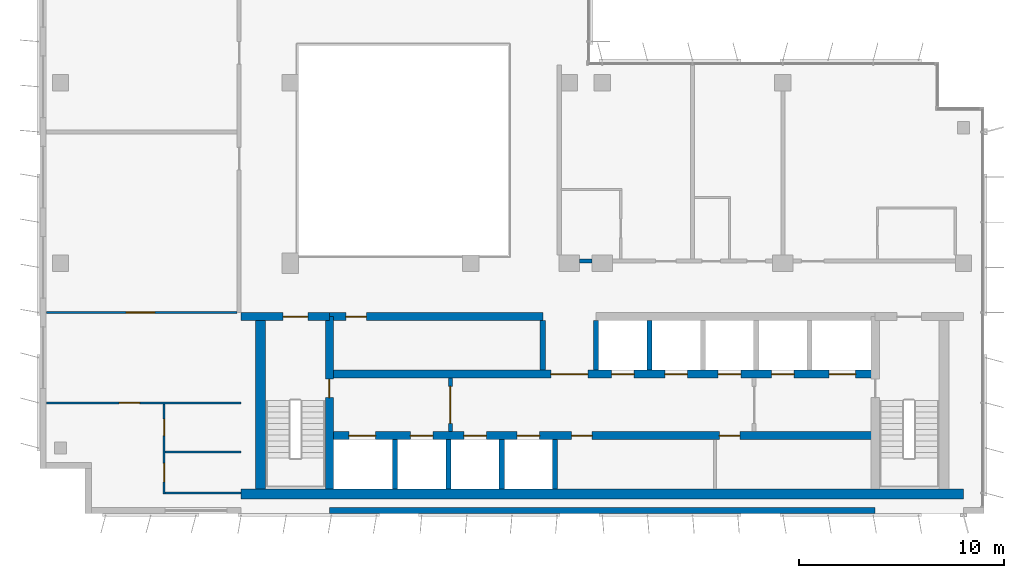
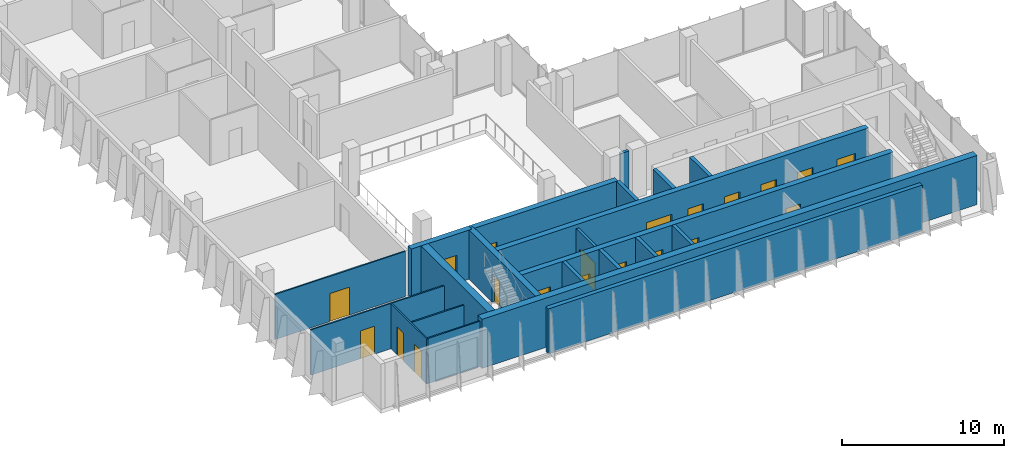
# One storey, part 9 of 15: 22 walls, 20 doors, 20 openings.
"""IFC4 building model written with IfcOpenShell, lengths in metres."""

from ifc_helpers import new_model, si_unit, direction, frame, frame_2d, origin, place, context, subcontext, project, spatial, rectangle, extrude, material, layer, layer_set, type_object, element, fill, save


model = new_model("IFC4")

# Units and contexts
model_context = context("Model", 3, precision=1e-05, world=origin(), true_north=direction((0.0, 1.0)))
body_context = subcontext(model_context, "Body", "Model", "MODEL_VIEW")
ifc_project = project(units=[si_unit("LENGTHUNIT", "METRE"), si_unit("AREAUNIT", "SQUARE_METRE"), si_unit("VOLUMEUNIT", "CUBIC_METRE"), si_unit("PLANEANGLEUNIT", "RADIAN"), si_unit("MASSUNIT", "GRAM", prefix="KILO")], contexts=[model_context])

# Site, building, storey
site_placement = place(None, origin())
site = spatial("IfcSite", under=ifc_project, at=site_placement, CompositionType="ELEMENT")
building_placement = place(site_placement, origin())
building = spatial("IfcBuilding", under=site, at=building_placement, Name="Kemantara Hotel Tower", CompositionType="ELEMENT")
storey_placement = place(building_placement, frame((0.0, 0.0, 264.800048828125)))
storey = spatial("IfcBuildingStorey", under=building, at=storey_placement, Name="L66", CompositionType="ELEMENT", Elevation=264.800048828125)

# Walls
ifc_material_1 = material(Name="Bronze anodised aluminium cladding on insulated steel stud wall", Category="steel")
ifc_layer_1 = layer(ifc_material_1, 0.300048828125)
ifc_layer_set_1 = layer_set([ifc_layer_1], Name="Bronze anodised aluminium cladding on insulated steel stud wall")
wall_type_1 = type_object("IfcWallType", Name="BRONZE METAL-CLAD EXTERNAL WALL 300", PredefinedType="STANDARD", material=ifc_layer_set_1)
wall_1_placement = place(storey_placement, frame((14.10009765625, 0.14990234375, 0.0), z_axis=(0.0, 0.0, 1.0), x_axis=(1.0, 0.0, 0.0)))
element("IfcWall", 1, at=wall_1_placement, inside=storey, type_object=wall_type_1, Name="EXTERNAL WALL L66 T4-R08-2", PredefinedType="STANDARD", context=body_context, shape_type="SweptSolid", body=[
    extrude(rectangle(XDim=26.599853515625, YDim=0.300048828125, at=frame_2d((13.2998046875, 0.0))), origin(), (0.0, 0.0, 1.0), 3.39990234375),
])
ifc_material_2 = material(Name="Concrete fc 50 MPa", Category="concrete")
ifc_layer_2 = layer(ifc_material_2, 0.25)
ifc_layer_set_2 = layer_set([ifc_layer_2], Name="Concrete fc 50 MPa")
wall_type_2 = type_object("IfcWallType", Name="CORE WALL 250 FC50", PredefinedType="SHEAR", material=ifc_layer_set_2)
for number, where, z_axis, x_axis, name in (
    (2, (17.300048828125, 1.199951171875, 0.0), (0.0, 0.0, 1.0), (0.0, 1.0, 0.0), "CORE WALL CW-DS17.3"),
    (3, (19.89990234375, 1.199951171875, 0.0), (0.0, 0.0, 1.0), (0.0, 1.0, 0.0), "CORE WALL CW-DS19.9"),
    (4, (22.5, 1.199951171875, 0.0), (0.0, 0.0, 1.0), (0.0, 1.0, 0.0), "CORE WALL CW-DS22.5"),
    (5, (25.10009765625, 1.199951171875, 0.0), (0.0, 0.0, 1.0), (0.0, 1.0, 0.0), "CORE WALL CW-DS25.1"),
):
    element("IfcWall", number, at=place(storey_placement, frame(where, z_axis=z_axis, x_axis=x_axis)), inside=storey, type_object=wall_type_2, Name=name, PredefinedType="SHEAR", context=body_context, shape_type="SweptSolid", body=[
        extrude(rectangle(XDim=2.400146484375, YDim=0.25, at=frame_2d((1.2001953125, 0.0))), origin(), (0.0, 0.0, 1.0), 3.699951171875),
    ])
for number, where, z_axis, x_axis, name in (
    (6, (24.5, 7.0, 0.0), (0.0, 0.0, 1.0), (0.0, 1.0, 0.0), "CORE WALL CW-DN24.5"),
    (7, (27.10009765625, 7.0, 0.0), (0.0, 0.0, 1.0), (0.0, 1.0, 0.0), "CORE WALL CW-DN27.1"),
    (8, (29.699951171875, 7.0, 0.0), (0.0, 0.0, 1.0), (0.0, 1.0, 0.0), "CORE WALL CW-DN29.7"),
):
    element("IfcWall", number, at=place(storey_placement, frame(where, z_axis=z_axis, x_axis=x_axis)), inside=storey, type_object=wall_type_2, Name=name, PredefinedType="SHEAR", context=body_context, shape_type="SweptSolid", body=[
        extrude(rectangle(XDim=2.39990234375, YDim=0.25, at=frame_2d((1.199951171875, 0.0))), origin(), (0.0, 0.0, 1.0), 3.699951171875),
    ])

# Wall, opening, door
ifc_layer_3 = layer(ifc_material_2, 0.39990234375)
ifc_layer_set_3 = layer_set([ifc_layer_3], Name="Concrete fc 50 MPa")
wall_type_3 = type_object("IfcWallType", Name="CORE WALL 400 FC50", PredefinedType="SHEAR", material=ifc_layer_set_3)
wall_2_placement = place(storey_placement, frame((9.800048828125, 9.60009765625, 0.0), z_axis=(0.0, 0.0, 1.0), x_axis=(1.0, 0.0, 0.0)))
wall_2 = element("IfcWall", 9, at=wall_2_placement, inside=storey, type_object=wall_type_3, Name="CORE WALL CW-N1", PredefinedType="SHEAR", context=body_context, shape_type="SweptSolid", body=[
    extrude(rectangle(XDim=4.300048828125, YDim=0.39990234375, at=frame_2d((2.14990234375, 0.0))), origin(), (0.0, 0.0, 1.0), 3.699951171875),
])
opening_1_placement = place(wall_2_placement, frame((2.050048828125, 0.0, 0.0)))
opening_1 = element("IfcOpeningElement", 10, at=opening_1_placement, cuts=wall_2, Name="Opening C39-ST1-C", PredefinedType="OPENING", context=body_context, shape_type="SweptSolid", body=[
    extrude(rectangle(XDim=1.199951171875, YDim=2.10009765625, at=frame_2d((0.60009765625, 1.050048828125))), frame((0.0, 0.2099609375, 0.0), z_axis=(0.0, -1.0, 0.0), x_axis=(1.0, 0.0, 0.0)), (0.0, 0.0, 1.0), 0.419921875),
])
ifc_material_3 = material(Name="Steel fire door", Category="steel")
door_type_1 = type_object("IfcDoorType", Name="Fire door FD90 1200 x 2100", OperationType="NOTDEFINED", PredefinedType="DOOR", material=ifc_material_3)
door_1_placement = place(opening_1_placement, frame((1.199951171875, 0.0, 0.0), z_axis=(0.0, 0.0, 1.0), x_axis=(-1.0, 0.0, 0.0)))
door_1 = element("IfcDoor", 11, at=door_1_placement, inside=storey, type_object=door_type_1, Name="Stair ST1 door to corridor", OperationType="SINGLE_SWING_LEFT", OverallHeight=2.10009765625, OverallWidth=1.199951171875, PredefinedType="DOOR", context=body_context, shape_type="SweptSolid", body=[
    extrude(rectangle(XDim=1.199951171875, YDim=2.10009765625, at=frame_2d((0.60009765625, 1.050048828125))), frame((0.0, 0.02490234375, 0.0), z_axis=(0.0, -1.0, 0.0), x_axis=(1.0, 0.0, 0.0)), (0.0, 0.0, 1.0), 0.050048828125),
])
fill(opening_1, door_1)

wall_3_placement = place(storey_placement, frame((14.10009765625, 9.60009765625, 0.0), z_axis=(0.0, 0.0, 1.0), x_axis=(1.0, 0.0, 0.0)))
wall_3 = element("IfcWall", 12, at=wall_3_placement, inside=storey, type_object=wall_type_3, Name="CORE WALL CW-NN1", PredefinedType="SHEAR", context=body_context, shape_type="SweptSolid", body=[
    extrude(rectangle(XDim=10.39990234375, YDim=0.39990234375, at=frame_2d((5.199951171875, 0.0))), origin(), (0.0, 0.0, 1.0), 3.699951171875),
])
opening_2_placement = place(wall_3_placement, frame((0.800048828125, 0.0, 0.0)))
opening_2 = element("IfcOpeningElement", 13, at=opening_2_placement, cuts=wall_3, Name="Opening C39-R-NW1", PredefinedType="OPENING", context=body_context, shape_type="SweptSolid", body=[
    extrude(rectangle(XDim=1.0, YDim=2.10009765625, at=frame_2d((0.5, 1.050048828125))), frame((0.0, 0.2099609375, 0.0), z_axis=(0.0, -1.0, 0.0), x_axis=(1.0, 0.0, 0.0)), (0.0, 0.0, 1.0), 0.419921875),
])
door_type_2 = type_object("IfcDoorType", Name="Fire door FD30S 1000 x 2100", OperationType="NOTDEFINED", PredefinedType="DOOR", material=ifc_material_3)
door_2_placement = place(opening_2_placement, frame((1.0, 0.0, 0.0), z_axis=(0.0, 0.0, 1.0), x_axis=(-1.0, 0.0, 0.0)))
door_2 = element("IfcDoor", 14, at=door_2_placement, inside=storey, type_object=door_type_2, Name="Housekeeping Store door", OperationType="SINGLE_SWING_RIGHT", OverallHeight=2.10009765625, OverallWidth=1.0, PredefinedType="DOOR", context=body_context, shape_type="SweptSolid", body=[
    extrude(rectangle(XDim=1.0, YDim=2.10009765625, at=frame_2d((0.5, 1.050048828125))), frame((0.0, 0.02490234375, 0.0), z_axis=(0.0, -1.0, 0.0), x_axis=(1.0, 0.0, 0.0)), (0.0, 0.0, 1.0), 0.050048828125),
])
fill(opening_2, door_2)

# Wall, openings, doors
wall_4_placement = place(storey_placement, frame((14.10009765625, 3.800048828125, 0.0), z_axis=(0.0, 0.0, 1.0), x_axis=(1.0, 0.0, 0.0)))
wall_4 = element("IfcWall", 15, at=wall_4_placement, inside=storey, type_object=wall_type_3, Name="CORE WALL CW-L1", PredefinedType="SHEAR", context=body_context, shape_type="SweptSolid", body=[
    extrude(rectangle(XDim=26.599853515625, YDim=0.39990234375, at=frame_2d((13.2998046875, 0.0))), origin(), (0.0, 0.0, 1.0), 3.699951171875),
])
opening_3_placement = place(wall_4_placement, frame((0.949951171875, 0.0, 0.0)))
opening_3 = element("IfcOpeningElement", 16, at=opening_3_placement, cuts=wall_4, Name="Opening C39-LD-FF1", PredefinedType="OPENING", context=body_context, shape_type="SweptSolid", body=[
    extrude(rectangle(XDim=1.300048828125, YDim=2.10009765625, at=frame_2d((0.64990234375, 1.050048828125))), frame((0.0, 0.2099609375, 0.0), z_axis=(0.0, -1.0, 0.0), x_axis=(1.0, 0.0, 0.0)), (0.0, 0.0, 1.0), 0.419921875),
])
opening_4_placement = place(wall_4_placement, frame((3.949951171875, 0.0, 0.0)))
opening_4 = element("IfcOpeningElement", 17, at=opening_4_placement, cuts=wall_4, Name="Opening C39-LD-SV1", PredefinedType="OPENING", context=body_context, shape_type="SweptSolid", body=[
    extrude(rectangle(XDim=1.10009765625, YDim=2.10009765625, at=frame_2d((0.550048828125, 1.050048828125))), frame((0.0, 0.2099609375, 0.0), z_axis=(0.0, -1.0, 0.0), x_axis=(1.0, 0.0, 0.0)), (0.0, 0.0, 1.0), 0.419921875),
])
opening_5_placement = place(wall_4_placement, frame((6.550048828125, 0.0, 0.0)))
opening_5 = element("IfcOpeningElement", 18, at=opening_5_placement, cuts=wall_4, Name="Opening C39-LD-SV2", PredefinedType="OPENING", context=body_context, shape_type="SweptSolid", body=[
    extrude(rectangle(XDim=1.10009765625, YDim=2.10009765625, at=frame_2d((0.550048828125, 1.050048828125))), frame((0.0, 0.2099609375, 0.0), z_axis=(0.0, -1.0, 0.0), x_axis=(1.0, 0.0, 0.0)), (0.0, 0.0, 1.0), 0.419921875),
])
opening_6_placement = place(wall_4_placement, frame((9.14990234375, 0.0, 0.0)))
opening_6 = element("IfcOpeningElement", 19, at=opening_6_placement, cuts=wall_4, Name="Opening C39-LD-SV3", PredefinedType="OPENING", context=body_context, shape_type="SweptSolid", body=[
    extrude(rectangle(XDim=1.10009765625, YDim=2.10009765625, at=frame_2d((0.550048828125, 1.050048828125))), frame((0.0, 0.2099609375, 0.0), z_axis=(0.0, -1.0, 0.0), x_axis=(1.0, 0.0, 0.0)), (0.0, 0.0, 1.0), 0.419921875),
])
opening_7_placement = place(wall_4_placement, frame((11.800048828125, 0.0, 0.0)))
opening_7 = element("IfcOpeningElement", 20, at=opening_7_placement, cuts=wall_4, Name="Opening C39-R-SM1", PredefinedType="OPENING", context=body_context, shape_type="SweptSolid", body=[
    extrude(rectangle(XDim=1.0, YDim=2.10009765625, at=frame_2d((0.5, 1.050048828125))), frame((0.0, 0.2099609375, 0.0), z_axis=(0.0, -1.0, 0.0), x_axis=(1.0, 0.0, 0.0)), (0.0, 0.0, 1.0), 0.419921875),
])
opening_8_placement = place(wall_4_placement, frame((19.0, 0.0, 0.0)))
opening_8 = element("IfcOpeningElement", 21, at=opening_8_placement, cuts=wall_4, Name="Opening C39-R-SM2", PredefinedType="OPENING", context=body_context, shape_type="SweptSolid", body=[
    extrude(rectangle(XDim=1.0, YDim=2.10009765625, at=frame_2d((0.5, 1.050048828125))), frame((0.0, 0.2099609375, 0.0), z_axis=(0.0, -1.0, 0.0), x_axis=(1.0, 0.0, 0.0)), (0.0, 0.0, 1.0), 0.419921875),
])
door_3_placement = place(opening_7_placement, frame((1.0, 0.0, 0.0), z_axis=(0.0, 0.0, 1.0), x_axis=(-1.0, 0.0, 0.0)))
door_3 = element("IfcDoor", 22, at=door_3_placement, inside=storey, type_object=door_type_2, Name="Staff Lounge door", OperationType="SINGLE_SWING_RIGHT", OverallHeight=2.10009765625, OverallWidth=1.0, PredefinedType="DOOR", context=body_context, shape_type="SweptSolid", body=[
    extrude(rectangle(XDim=1.0, YDim=2.10009765625, at=frame_2d((0.5, 1.050048828125))), frame((0.0, 0.02490234375, 0.0), z_axis=(0.0, -1.0, 0.0), x_axis=(1.0, 0.0, 0.0)), (0.0, 0.0, 1.0), 0.050048828125),
])
fill(opening_7, door_3)
door_4_placement = place(opening_8_placement, frame((1.0, 0.0, 0.0), z_axis=(0.0, 0.0, 1.0), x_axis=(-1.0, 0.0, 0.0)))
door_4 = element("IfcDoor", 23, at=door_4_placement, inside=storey, type_object=door_type_2, Name="Luggage Store door", OperationType="SINGLE_SWING_LEFT", OverallHeight=2.10009765625, OverallWidth=1.0, PredefinedType="DOOR", context=body_context, shape_type="SweptSolid", body=[
    extrude(rectangle(XDim=1.0, YDim=2.10009765625, at=frame_2d((0.5, 1.050048828125))), frame((0.0, 0.02490234375, 0.0), z_axis=(0.0, -1.0, 0.0), x_axis=(1.0, 0.0, 0.0)), (0.0, 0.0, 1.0), 0.050048828125),
])
fill(opening_8, door_4)
ifc_material_4 = material(Name="Stainless steel lift door", Category="steel")
door_type_3 = type_object("IfcDoorType", Name="Lift landing door 1100 x 2100 FD60", OperationType="DOUBLE_DOOR_SLIDING", PredefinedType="DOOR", material=ifc_material_4)
door_5_placement = place(opening_4_placement, origin())
door_5 = element("IfcDoor", 24, at=door_5_placement, inside=storey, type_object=door_type_3, Name="Lift SV1 landing door", OperationType="DOUBLE_DOOR_SLIDING", OverallHeight=2.10009765625, OverallWidth=1.10009765625, PredefinedType="DOOR", context=body_context, shape_type="SweptSolid", body=[
    extrude(rectangle(XDim=1.10009765625, YDim=2.10009765625, at=frame_2d((0.550048828125, 1.050048828125))), frame((0.0, 0.02490234375, 0.0), z_axis=(0.0, -1.0, 0.0), x_axis=(1.0, 0.0, 0.0)), (0.0, 0.0, 1.0), 0.050048828125),
])
fill(opening_4, door_5)
door_6_placement = place(opening_5_placement, origin())
door_6 = element("IfcDoor", 25, at=door_6_placement, inside=storey, type_object=door_type_3, Name="Lift SV2 landing door", OperationType="DOUBLE_DOOR_SLIDING", OverallHeight=2.10009765625, OverallWidth=1.10009765625, PredefinedType="DOOR", context=body_context, shape_type="SweptSolid", body=[
    extrude(rectangle(XDim=1.10009765625, YDim=2.10009765625, at=frame_2d((0.550048828125, 1.050048828125))), frame((0.0, 0.02490234375, 0.0), z_axis=(0.0, -1.0, 0.0), x_axis=(1.0, 0.0, 0.0)), (0.0, 0.0, 1.0), 0.050048828125),
])
fill(opening_5, door_6)
door_7_placement = place(opening_6_placement, origin())
door_7 = element("IfcDoor", 26, at=door_7_placement, inside=storey, type_object=door_type_3, Name="Lift SV3 landing door", OperationType="DOUBLE_DOOR_SLIDING", OverallHeight=2.10009765625, OverallWidth=1.10009765625, PredefinedType="DOOR", context=body_context, shape_type="SweptSolid", body=[
    extrude(rectangle(XDim=1.10009765625, YDim=2.10009765625, at=frame_2d((0.550048828125, 1.050048828125))), frame((0.0, 0.02490234375, 0.0), z_axis=(0.0, -1.0, 0.0), x_axis=(1.0, 0.0, 0.0)), (0.0, 0.0, 1.0), 0.050048828125),
])
fill(opening_6, door_7)
door_type_4 = type_object("IfcDoorType", Name="Lift landing door 1300 x 2100 FD90", OperationType="DOUBLE_DOOR_SLIDING", PredefinedType="DOOR", material=ifc_material_4)
door_8_placement = place(opening_3_placement, origin())
door_8 = element("IfcDoor", 27, at=door_8_placement, inside=storey, type_object=door_type_4, Name="Lift FF1 landing door", OperationType="DOUBLE_DOOR_SLIDING", OverallHeight=2.10009765625, OverallWidth=1.300048828125, PredefinedType="DOOR", context=body_context, shape_type="SweptSolid", body=[
    extrude(rectangle(XDim=1.300048828125, YDim=2.10009765625, at=frame_2d((0.64990234375, 1.050048828125))), frame((0.0, 0.02490234375, 0.0), z_axis=(0.0, -1.0, 0.0), x_axis=(1.0, 0.0, 0.0)), (0.0, 0.0, 1.0), 0.050048828125),
])
fill(opening_3, door_8)

wall_5_placement = place(storey_placement, frame((14.10009765625, 6.800048828125, 0.0), z_axis=(0.0, 0.0, 1.0), x_axis=(1.0, 0.0, 0.0)))
wall_5 = element("IfcWall", 28, at=wall_5_placement, inside=storey, type_object=wall_type_3, Name="CORE WALL CW-L2", PredefinedType="SHEAR", context=body_context, shape_type="SweptSolid", body=[
    extrude(rectangle(XDim=26.599853515625, YDim=0.39990234375, at=frame_2d((13.2998046875, 0.0))), origin(), (0.0, 0.0, 1.0), 3.699951171875),
])
opening_9_placement = place(wall_5_placement, frame((10.800048828125, 0.0, 0.0)))
opening_9 = element("IfcOpeningElement", 29, at=opening_9_placement, cuts=wall_5, Name="Opening C39-VL", PredefinedType="OPENING", context=body_context, shape_type="SweptSolid", body=[
    extrude(rectangle(XDim=1.800048828125, YDim=2.10009765625, at=frame_2d((0.89990234375, 1.050048828125))), frame((0.0, 0.2099609375, 0.0), z_axis=(0.0, -1.0, 0.0), x_axis=(1.0, 0.0, 0.0)), (0.0, 0.0, 1.0), 0.419921875),
])
opening_10_placement = place(wall_5_placement, frame((13.75, 0.0, 0.0)))
opening_10 = element("IfcOpeningElement", 30, at=opening_10_placement, cuts=wall_5, Name="Opening C39-LD-HR1", PredefinedType="OPENING", context=body_context, shape_type="SweptSolid", body=[
    extrude(rectangle(XDim=1.10009765625, YDim=2.10009765625, at=frame_2d((0.550048828125, 1.050048828125))), frame((0.0, 0.2099609375, 0.0), z_axis=(0.0, -1.0, 0.0), x_axis=(1.0, 0.0, 0.0)), (0.0, 0.0, 1.0), 0.419921875),
])
opening_11_placement = place(wall_5_placement, frame((16.35009765625, 0.0, 0.0)))
opening_11 = element("IfcOpeningElement", 31, at=opening_11_placement, cuts=wall_5, Name="Opening C39-LD-HR2", PredefinedType="OPENING", context=body_context, shape_type="SweptSolid", body=[
    extrude(rectangle(XDim=1.10009765625, YDim=2.10009765625, at=frame_2d((0.550048828125, 1.050048828125))), frame((0.0, 0.2099609375, 0.0), z_axis=(0.0, -1.0, 0.0), x_axis=(1.0, 0.0, 0.0)), (0.0, 0.0, 1.0), 0.419921875),
])
opening_12_placement = place(wall_5_placement, frame((18.949951171875, 0.0, 0.0)))
opening_12 = element("IfcOpeningElement", 32, at=opening_12_placement, cuts=wall_5, Name="Opening C39-LD-HR3", PredefinedType="OPENING", context=body_context, shape_type="SweptSolid", body=[
    extrude(rectangle(XDim=1.10009765625, YDim=2.10009765625, at=frame_2d((0.550048828125, 1.050048828125))), frame((0.0, 0.2099609375, 0.0), z_axis=(0.0, -1.0, 0.0), x_axis=(1.0, 0.0, 0.0)), (0.0, 0.0, 1.0), 0.419921875),
])
opening_13_placement = place(wall_5_placement, frame((21.550048828125, 0.0, 0.0)))
opening_13 = element("IfcOpeningElement", 33, at=opening_13_placement, cuts=wall_5, Name="Opening C39-LD-HR4", PredefinedType="OPENING", context=body_context, shape_type="SweptSolid", body=[
    extrude(rectangle(XDim=1.10009765625, YDim=2.10009765625, at=frame_2d((0.550048828125, 1.050048828125))), frame((0.0, 0.2099609375, 0.0), z_axis=(0.0, -1.0, 0.0), x_axis=(1.0, 0.0, 0.0)), (0.0, 0.0, 1.0), 0.419921875),
])
opening_14_placement = place(wall_5_placement, frame((24.35009765625, 0.0, 0.0)))
opening_14 = element("IfcOpeningElement", 34, at=opening_14_placement, cuts=wall_5, Name="Opening C39-LD-FF2", PredefinedType="OPENING", context=body_context, shape_type="SweptSolid", body=[
    extrude(rectangle(XDim=1.300048828125, YDim=2.10009765625, at=frame_2d((0.64990234375, 1.050048828125))), frame((0.0, 0.2099609375, 0.0), z_axis=(0.0, -1.0, 0.0), x_axis=(1.0, 0.0, 0.0)), (0.0, 0.0, 1.0), 0.419921875),
])
door_type_5 = type_object("IfcDoorType", Name="Fire door pair FD60 1800 x 2100", OperationType="DOUBLE_DOOR_SINGLE_SWING", PredefinedType="DOOR", material=ifc_material_3)
door_9_placement = place(opening_9_placement, frame((1.800048828125, 0.0, 0.0), z_axis=(0.0, 0.0, 1.0), x_axis=(-1.0, 0.0, 0.0)))
door_9 = element("IfcDoor", 35, at=door_9_placement, inside=storey, type_object=door_type_5, Name="Lift lobby entry door", OperationType="DOUBLE_DOOR_SINGLE_SWING", OverallHeight=2.10009765625, OverallWidth=1.800048828125, PredefinedType="DOOR", context=body_context, shape_type="SweptSolid", body=[
    extrude(rectangle(XDim=1.800048828125, YDim=2.10009765625, at=frame_2d((0.89990234375, 1.050048828125))), frame((0.0, 0.02490234375, 0.0), z_axis=(0.0, -1.0, 0.0), x_axis=(1.0, 0.0, 0.0)), (0.0, 0.0, 1.0), 0.050048828125),
])
fill(opening_9, door_9)
door_10_placement = place(opening_10_placement, origin())
door_10 = element("IfcDoor", 36, at=door_10_placement, inside=storey, type_object=door_type_3, Name="Lift HR1 landing door", OperationType="DOUBLE_DOOR_SLIDING", OverallHeight=2.10009765625, OverallWidth=1.10009765625, PredefinedType="DOOR", context=body_context, shape_type="SweptSolid", body=[
    extrude(rectangle(XDim=1.10009765625, YDim=2.10009765625, at=frame_2d((0.550048828125, 1.050048828125))), frame((0.0, 0.02490234375, 0.0), z_axis=(0.0, -1.0, 0.0), x_axis=(1.0, 0.0, 0.0)), (0.0, 0.0, 1.0), 0.050048828125),
])
fill(opening_10, door_10)
door_11_placement = place(opening_11_placement, origin())
door_11 = element("IfcDoor", 37, at=door_11_placement, inside=storey, type_object=door_type_3, Name="Lift HR2 landing door", OperationType="DOUBLE_DOOR_SLIDING", OverallHeight=2.10009765625, OverallWidth=1.10009765625, PredefinedType="DOOR", context=body_context, shape_type="SweptSolid", body=[
    extrude(rectangle(XDim=1.10009765625, YDim=2.10009765625, at=frame_2d((0.550048828125, 1.050048828125))), frame((0.0, 0.02490234375, 0.0), z_axis=(0.0, -1.0, 0.0), x_axis=(1.0, 0.0, 0.0)), (0.0, 0.0, 1.0), 0.050048828125),
])
fill(opening_11, door_11)
door_12_placement = place(opening_12_placement, origin())
door_12 = element("IfcDoor", 38, at=door_12_placement, inside=storey, type_object=door_type_3, Name="Lift HR3 landing door", OperationType="DOUBLE_DOOR_SLIDING", OverallHeight=2.10009765625, OverallWidth=1.10009765625, PredefinedType="DOOR", context=body_context, shape_type="SweptSolid", body=[
    extrude(rectangle(XDim=1.10009765625, YDim=2.10009765625, at=frame_2d((0.550048828125, 1.050048828125))), frame((0.0, 0.02490234375, 0.0), z_axis=(0.0, -1.0, 0.0), x_axis=(1.0, 0.0, 0.0)), (0.0, 0.0, 1.0), 0.050048828125),
])
fill(opening_12, door_12)
door_13_placement = place(opening_13_placement, origin())
door_13 = element("IfcDoor", 39, at=door_13_placement, inside=storey, type_object=door_type_3, Name="Lift HR4 landing door", OperationType="DOUBLE_DOOR_SLIDING", OverallHeight=2.10009765625, OverallWidth=1.10009765625, PredefinedType="DOOR", context=body_context, shape_type="SweptSolid", body=[
    extrude(rectangle(XDim=1.10009765625, YDim=2.10009765625, at=frame_2d((0.550048828125, 1.050048828125))), frame((0.0, 0.02490234375, 0.0), z_axis=(0.0, -1.0, 0.0), x_axis=(1.0, 0.0, 0.0)), (0.0, 0.0, 1.0), 0.050048828125),
])
fill(opening_13, door_13)
door_14_placement = place(opening_14_placement, origin())
door_14 = element("IfcDoor", 40, at=door_14_placement, inside=storey, type_object=door_type_4, Name="Lift FF2 landing door", OperationType="DOUBLE_DOOR_SLIDING", OverallHeight=2.10009765625, OverallWidth=1.300048828125, PredefinedType="DOOR", context=body_context, shape_type="SweptSolid", body=[
    extrude(rectangle(XDim=1.300048828125, YDim=2.10009765625, at=frame_2d((0.64990234375, 1.050048828125))), frame((0.0, 0.02490234375, 0.0), z_axis=(0.0, -1.0, 0.0), x_axis=(1.0, 0.0, 0.0)), (0.0, 0.0, 1.0), 0.050048828125),
])
fill(opening_14, door_14)

# Wall, opening, door
wall_6_placement = place(storey_placement, frame((14.10009765625, 1.199951171875, 0.0), z_axis=(0.0, 0.0, 1.0), x_axis=(0.0, 1.0, 0.0)))
wall_6 = element("IfcWall", 41, at=wall_6_placement, inside=storey, type_object=wall_type_3, Name="CORE WALL CW-ST1E", PredefinedType="SHEAR", context=body_context, shape_type="SweptSolid", body=[
    extrude(rectangle(XDim=8.400146484375, YDim=0.39990234375, at=frame_2d((4.2001953125, 0.0))), origin(), (0.0, 0.0, 1.0), 3.699951171875),
])
opening_15_placement = place(wall_6_placement, frame((4.449951171875, 0.0, 0.0)))
opening_15 = element("IfcOpeningElement", 42, at=opening_15_placement, cuts=wall_6, Name="Opening C39-ST1-F", PredefinedType="OPENING", context=body_context, shape_type="SweptSolid", body=[
    extrude(rectangle(XDim=0.89990234375, YDim=2.10009765625, at=frame_2d((0.449951171875, 1.050048828125))), frame((0.0, 0.2099609375, 0.0), z_axis=(0.0, -1.0, 0.0), x_axis=(1.0, 0.0, 0.0)), (0.0, 0.0, 1.0), 0.419921875),
])
door_type_6 = type_object("IfcDoorType", Name="Fire door FD90 900 x 2100", OperationType="NOTDEFINED", PredefinedType="DOOR", material=ifc_material_3)
door_15_placement = place(opening_15_placement, origin())
door_15 = element("IfcDoor", 43, at=door_15_placement, inside=storey, type_object=door_type_6, Name="Stair ST1 door to firefighting lobby", OperationType="SINGLE_SWING_RIGHT", OverallHeight=2.10009765625, OverallWidth=0.89990234375, PredefinedType="DOOR", context=body_context, shape_type="SweptSolid", body=[
    extrude(rectangle(XDim=0.89990234375, YDim=2.10009765625, at=frame_2d((0.449951171875, 1.050048828125))), frame((0.0, 0.02490234375, 0.0), z_axis=(0.0, -1.0, 0.0), x_axis=(1.0, 0.0, 0.0)), (0.0, 0.0, 1.0), 0.050048828125),
])
fill(opening_15, door_15)

# Walls
ifc_layer_4 = layer(ifc_material_2, 0.5)
ifc_layer_set_4 = layer_set([ifc_layer_4], Name="Concrete fc 50 MPa")
wall_type_4 = type_object("IfcWallType", Name="CORE WALL 500 FC50", PredefinedType="SHEAR", material=ifc_layer_set_4)
wall_7_placement = place(storey_placement, frame((9.800048828125, 0.949951171875, 0.0), z_axis=(0.0, 0.0, 1.0), x_axis=(1.0, 0.0, 0.0)))
element("IfcWall", 44, at=wall_7_placement, inside=storey, type_object=wall_type_4, Name="CORE WALL CW-S", PredefinedType="SHEAR", context=body_context, shape_type="SweptSolid", body=[
    extrude(rectangle(XDim=35.199951171875, YDim=0.5, at=frame_2d((17.60009765625, 0.0))), origin(), (0.0, 0.0, 1.0), 3.699951171875),
])
wall_8_placement = place(storey_placement, frame((10.75, 1.199951171875, 0.0), z_axis=(0.0, 0.0, 1.0), x_axis=(0.0, 1.0, 0.0)))
element("IfcWall", 45, at=wall_8_placement, inside=storey, type_object=wall_type_4, Name="CORE WALL CW-W", PredefinedType="SHEAR", context=body_context, shape_type="SweptSolid", body=[
    extrude(rectangle(XDim=8.60009765625, YDim=0.5, at=frame_2d((4.300048828125, 0.0))), origin(), (0.0, 0.0, 1.0), 3.699951171875),
])
ifc_material_5 = material(Name="Gypsum board partition, steel studs and mineral wool, 200 mm", Category="steel")
ifc_layer_5 = layer(ifc_material_5, 0.199951171875)
ifc_layer_set_5 = layer_set([ifc_layer_5], Name="Gypsum board partition, steel studs and mineral wool, 200 mm")
wall_type_5 = type_object("IfcWallType", Name="CORRIDOR WALL 200", PredefinedType="PARTITIONING", material=ifc_layer_set_5)
wall_9_placement = place(storey_placement, frame((26.300048828125, 12.300048828125, 0.0), z_axis=(0.0, 0.0, 1.0), x_axis=(1.0, 0.0, 0.0)))
element("IfcWall", 46, at=wall_9_placement, inside=storey, type_object=wall_type_5, Name="CORRIDOR WALL 200 001", PredefinedType="PARTITIONING", context=body_context, shape_type="SweptSolid", body=[
    extrude(rectangle(XDim=0.599853515625, YDim=0.199951171875, at=frame_2d((0.2998046875, 0.0))), origin(), (0.0, 0.0, 1.0), 3.39990234375),
])

# Wall, opening, door
ifc_material_6 = material(Name="Gypsum board shaft wall")
ifc_layer_6 = layer(ifc_material_6, 0.199951171875)
ifc_layer_set_6 = layer_set([ifc_layer_6], Name="Gypsum board shaft wall")
wall_type_6 = type_object("IfcWallType", Name="Gypsum board shaft wall 200 mm", PredefinedType="PARTITIONING", material=ifc_layer_set_6)
wall_10_placement = place(storey_placement, frame((20.0, 4.0, 0.0), z_axis=(0.0, 0.0, 1.0), x_axis=(0.0, 1.0, 0.0)))
wall_10 = element("IfcWall", 47, at=wall_10_placement, inside=storey, type_object=wall_type_6, Name="Firefighting lobby partition west", PredefinedType="PARTITIONING", context=body_context, shape_type="SweptSolid", body=[
    extrude(rectangle(XDim=2.60009765625, YDim=0.199951171875, at=frame_2d((1.300048828125, 0.0))), origin(), (0.0, 0.0, 1.0), 3.39990234375),
])
opening_16_placement = place(wall_10_placement, frame((0.39990234375, 0.0, 0.0)))
opening_16 = element("IfcOpeningElement", 48, at=opening_16_placement, cuts=wall_10, Name="Opening C39-FFW", PredefinedType="OPENING", context=body_context, shape_type="SweptSolid", body=[
    extrude(rectangle(XDim=1.800048828125, YDim=2.10009765625, at=frame_2d((0.89990234375, 1.050048828125))), frame((0.0, 0.10986328125, 0.0), z_axis=(0.0, -1.0, 0.0), x_axis=(1.0, 0.0, 0.0)), (0.0, 0.0, 1.0), 0.219970703125),
])
door_16_placement = place(opening_16_placement, origin())
door_16 = element("IfcDoor", 49, at=door_16_placement, inside=storey, type_object=door_type_5, Name="Firefighting lobby door west", OperationType="DOUBLE_DOOR_SINGLE_SWING", OverallHeight=2.10009765625, OverallWidth=1.800048828125, PredefinedType="DOOR", context=body_context, shape_type="SweptSolid", body=[
    extrude(rectangle(XDim=1.800048828125, YDim=2.10009765625, at=frame_2d((0.89990234375, 1.050048828125))), frame((0.0, 0.02490234375, 0.0), z_axis=(0.0, -1.0, 0.0), x_axis=(1.0, 0.0, 0.0)), (0.0, 0.0, 1.0), 0.050048828125),
])
fill(opening_16, door_16)

# Wall, openings, doors
ifc_material_7 = material(Name="Gypsum board partition on steel studs, 100 mm", Category="steel")
ifc_layer_7 = layer(ifc_material_7, 0.10009765625)
ifc_layer_set_7 = layer_set([ifc_layer_7], Name="Gypsum board partition on steel studs, 100 mm")
wall_type_7 = type_object("IfcWallType", Name="ROOM PARTITION 100", PredefinedType="PARTITIONING", material=ifc_layer_set_7)
wall_11_placement = place(storey_placement, frame((6.050048828125, 5.35009765625, 0.0), z_axis=(0.0, 0.0, 1.0), x_axis=(0.0, -1.0, 0.0)))
wall_11 = element("IfcWall", 50, at=wall_11_placement, inside=storey, type_object=wall_type_7, Name="ROOM PARTITION 100 029", PredefinedType="PARTITIONING", context=body_context, shape_type="SweptSolid", body=[
    extrude(rectangle(XDim=4.400146484375, YDim=0.10009765625, at=frame_2d((2.2001953125, 0.0))), origin(), (0.0, 0.0, 1.0), 3.39990234375),
])
opening_17_placement = place(wall_11_placement, frame((2.89990234375, 0.0, 0.0)))
opening_17 = element("IfcOpeningElement", 51, at=opening_17_placement, cuts=wall_11, Name="Opening F32-010", PredefinedType="OPENING", context=body_context, shape_type="SweptSolid", body=[
    extrude(rectangle(XDim=0.89990234375, YDim=2.10009765625, at=frame_2d((0.449951171875, 1.050048828125))), frame((0.0, 0.06005859375, 0.0), z_axis=(0.0, -1.0, 0.0), x_axis=(1.0, 0.0, 0.0)), (0.0, 0.0, 1.0), 0.1201171875),
])
opening_18_placement = place(wall_11_placement, frame((0.75, 0.0, 0.0)))
opening_18 = element("IfcOpeningElement", 52, at=opening_18_placement, cuts=wall_11, Name="Opening F32-011", PredefinedType="OPENING", context=body_context, shape_type="SweptSolid", body=[
    extrude(rectangle(XDim=0.800048828125, YDim=2.10009765625, at=frame_2d((0.39990234375, 1.050048828125))), frame((0.0, 0.06005859375, 0.0), z_axis=(0.0, -1.0, 0.0), x_axis=(1.0, 0.0, 0.0)), (0.0, 0.0, 1.0), 0.1201171875),
])
ifc_material_8 = material(Name="Hardwood veneer door leaf with steel frame", Category="steel")
door_type_7 = type_object("IfcDoorType", Name="BATHROOM DOOR 900 X 2100", OperationType="NOTDEFINED", PredefinedType="DOOR", material=ifc_material_8)
door_17_placement = place(opening_17_placement, origin())
door_17 = element("IfcDoor", 53, at=door_17_placement, inside=storey, type_object=door_type_7, Name="BATHROOM DOOR F32-010", OperationType="SINGLE_SWING_LEFT", OverallHeight=2.10009765625, OverallWidth=0.89990234375, PredefinedType="DOOR", context=body_context, shape_type="SweptSolid", body=[
    extrude(rectangle(XDim=0.89990234375, YDim=2.10009765625, at=frame_2d((0.449951171875, 1.050048828125))), frame((0.0, 0.02490234375, 0.0), z_axis=(0.0, -1.0, 0.0), x_axis=(1.0, 0.0, 0.0)), (0.0, 0.0, 1.0), 0.050048828125),
])
fill(opening_17, door_17)
door_type_8 = type_object("IfcDoorType", Name="WARDROBE DOOR 800 X 2100", OperationType="NOTDEFINED", PredefinedType="DOOR", material=ifc_material_8)
door_18_placement = place(opening_18_placement, origin())
door_18 = element("IfcDoor", 54, at=door_18_placement, inside=storey, type_object=door_type_8, Name="WARDROBE DOOR F32-011", OperationType="SINGLE_SWING_LEFT", OverallHeight=2.10009765625, OverallWidth=0.800048828125, PredefinedType="DOOR", context=body_context, shape_type="SweptSolid", body=[
    extrude(rectangle(XDim=0.800048828125, YDim=2.10009765625, at=frame_2d((0.39990234375, 1.050048828125))), frame((0.0, 0.02490234375, 0.0), z_axis=(0.0, -1.0, 0.0), x_axis=(1.0, 0.0, 0.0)), (0.0, 0.0, 1.0), 0.050048828125),
])
fill(opening_18, door_18)

# Wall, opening, door
wall_12_placement = place(storey_placement, frame((9.60009765625, 9.800048828125, 0.0), z_axis=(0.0, 0.0, 1.0), x_axis=(-1.0, 0.0, 0.0)))
wall_12 = element("IfcWall", 55, at=wall_12_placement, inside=storey, type_object=wall_type_7, Name="ROOM PARTITION 100 030", PredefinedType="PARTITIONING", context=body_context, shape_type="SweptSolid", body=[
    extrude(rectangle(XDim=9.2900390625, YDim=0.10009765625, at=frame_2d((4.64501953125, 0.0))), origin(), (0.0, 0.0, 1.0), 3.39990234375),
])
opening_19_placement = place(wall_12_placement, frame((4.0, 0.0, 0.0)))
opening_19 = element("IfcOpeningElement", 56, at=opening_19_placement, cuts=wall_12, Name="Opening F32-008", PredefinedType="OPENING", context=body_context, shape_type="SweptSolid", body=[
    extrude(rectangle(XDim=1.39990234375, YDim=2.10009765625, at=frame_2d((0.699951171875, 1.050048828125))), frame((0.0, 0.06005859375, 0.0), z_axis=(0.0, -1.0, 0.0), x_axis=(1.0, 0.0, 0.0)), (0.0, 0.0, 1.0), 0.1201171875),
])
door_type_9 = type_object("IfcDoorType", Name="INTERNAL DOOR 1400 X 2100", OperationType="NOTDEFINED", PredefinedType="DOOR", material=ifc_material_8)
door_19_placement = place(opening_19_placement, origin())
door_19 = element("IfcDoor", 57, at=door_19_placement, inside=storey, type_object=door_type_9, Name="INTERNAL DOOR F32-008", OperationType="DOUBLE_DOOR_SINGLE_SWING", OverallHeight=2.10009765625, OverallWidth=1.39990234375, PredefinedType="DOOR", context=body_context, shape_type="SweptSolid", body=[
    extrude(rectangle(XDim=1.39990234375, YDim=2.10009765625, at=frame_2d((0.699951171875, 1.050048828125))), frame((0.0, 0.02490234375, 0.0), z_axis=(0.0, -1.0, 0.0), x_axis=(1.0, 0.0, 0.0)), (0.0, 0.0, 1.0), 0.050048828125),
])
fill(opening_19, door_19)

wall_13_placement = place(storey_placement, frame((9.7998046875, 5.39990234375, 0.0), z_axis=(0.0, 0.0, 1.0), x_axis=(-1.0, 0.0, 0.0)))
wall_13 = element("IfcWall", 58, at=wall_13_placement, inside=storey, type_object=wall_type_7, Name="ROOM PARTITION 100 031", PredefinedType="PARTITIONING", context=body_context, shape_type="SweptSolid", body=[
    extrude(rectangle(XDim=9.48974609375, YDim=0.10009765625, at=frame_2d((4.744873046875, 0.0))), origin(), (0.0, 0.0, 1.0), 3.39990234375),
])
opening_20_placement = place(wall_13_placement, frame((4.949951171875, 0.0, 0.0)))
opening_20 = element("IfcOpeningElement", 59, at=opening_20_placement, cuts=wall_13, Name="Opening F32-009", PredefinedType="OPENING", context=body_context, shape_type="SweptSolid", body=[
    extrude(rectangle(XDim=1.0, YDim=2.10009765625, at=frame_2d((0.5, 1.050048828125))), frame((0.0, 0.06005859375, 0.0), z_axis=(0.0, -1.0, 0.0), x_axis=(1.0, 0.0, 0.0)), (0.0, 0.0, 1.0), 0.1201171875),
])
door_type_10 = type_object("IfcDoorType", Name="INTERNAL DOOR 1000 X 2100", OperationType="NOTDEFINED", PredefinedType="DOOR", material=ifc_material_8)
door_20_placement = place(opening_20_placement, origin())
door_20 = element("IfcDoor", 60, at=door_20_placement, inside=storey, type_object=door_type_10, Name="INTERNAL DOOR F32-009", OperationType="SINGLE_SWING_LEFT", OverallHeight=2.10009765625, OverallWidth=1.0, PredefinedType="DOOR", context=body_context, shape_type="SweptSolid", body=[
    extrude(rectangle(XDim=1.0, YDim=2.10009765625, at=frame_2d((0.5, 1.050048828125))), frame((0.0, 0.02490234375, 0.0), z_axis=(0.0, -1.0, 0.0), x_axis=(1.0, 0.0, 0.0)), (0.0, 0.0, 1.0), 0.050048828125),
])
fill(opening_20, door_20)

# Walls
for number, where, z_axis, x_axis, name in (
    (61, (6.10009765625, 1.0, 0.0), (0.0, 0.0, 1.0), (1.0, 0.0, 0.0), "ROOM PARTITION 100 032"),
    (62, (6.10009765625, 3.0, 0.0), (0.0, 0.0, 1.0), (1.0, 0.0, 0.0), "ROOM PARTITION 100 033"),
):
    element("IfcWall", number, at=place(storey_placement, frame(where, z_axis=z_axis, x_axis=x_axis)), inside=storey, type_object=wall_type_7, Name=name, PredefinedType="PARTITIONING", context=body_context, shape_type="SweptSolid", body=[
        extrude(rectangle(XDim=3.69970703125, YDim=0.10009765625, at=frame_2d((1.849853515625, 0.0))), origin(), (0.0, 0.0, 1.0), 3.39990234375),
    ])

save(model, "model.ifc")
